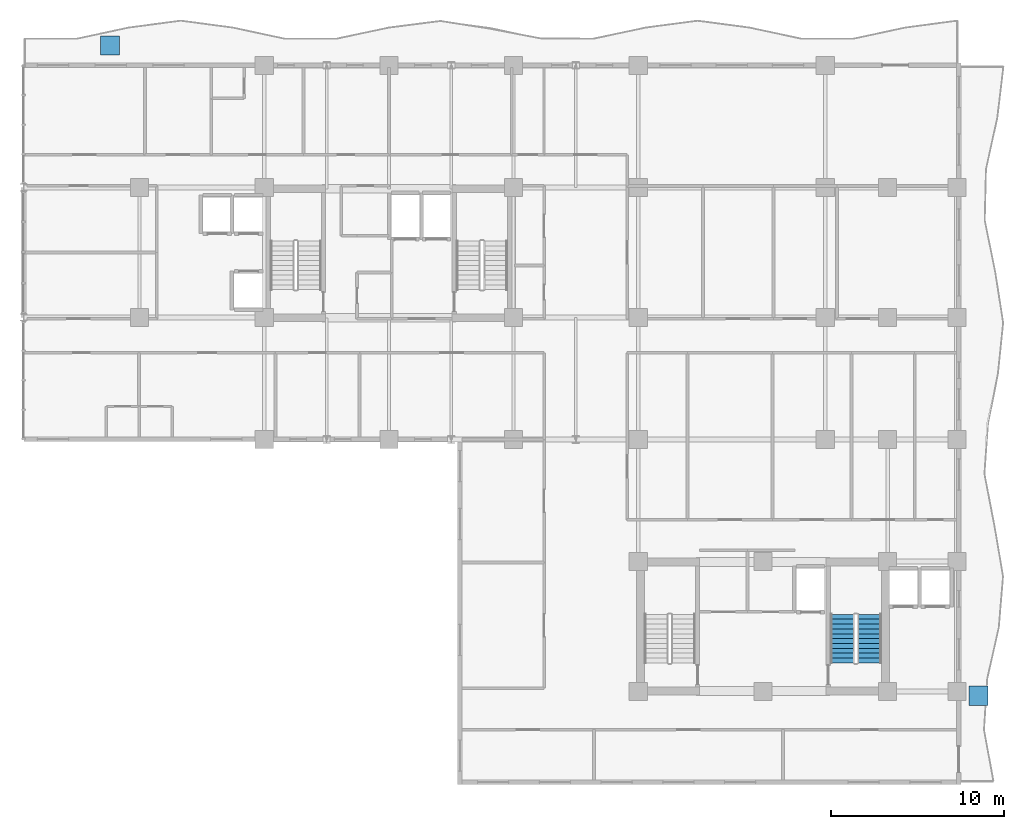
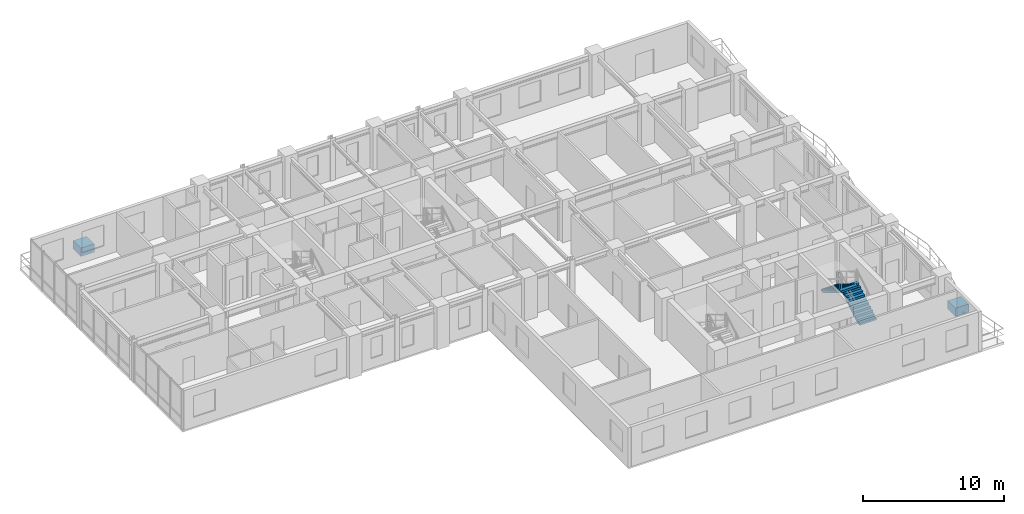
# One storey, part 16 of 19: 2 discrete accessories, 2 stair flights, 1 element without a shape of its own.
"""IFC4 building model written with IfcOpenShell, lengths in metres."""

from ifc_helpers import new_model, si_unit, direction, frame, origin, origin_2d, place, context, subcontext, project, spatial, polyline, rectangle, outline, extrude, source, transform, mapped, material, type_object, element, aggregate, save


model = new_model("IFC4")

# Units and contexts
model_context = context("Model", 3, precision=1e-05, world=origin(), true_north=direction((0.0, 1.0)))
body_context = subcontext(model_context, "Body", "Model", "MODEL_VIEW")
ifc_project = project(units=[si_unit("LENGTHUNIT", "METRE"), si_unit("AREAUNIT", "SQUARE_METRE"), si_unit("VOLUMEUNIT", "CUBIC_METRE"), si_unit("PLANEANGLEUNIT", "RADIAN"), si_unit("MASSUNIT", "GRAM", prefix="KILO")], contexts=[model_context])

# Site, building, storey
site_placement = place(None, origin())
site = spatial("IfcSite", under=ifc_project, at=site_placement, CompositionType="ELEMENT")
building_placement = place(site_placement, origin())
building = spatial("IfcBuilding", under=site, at=building_placement, Name="Kaliganga Portal Commons", CompositionType="ELEMENT")
storey_placement = place(building_placement, frame((0.0, 0.0, 184.60009765625)))
storey = spatial("IfcBuildingStorey", under=building, at=storey_placement, Name="L47", CompositionType="ELEMENT", Elevation=184.60009765625)

# Stair, stair flights
ifc_material_1 = material(Name="Concrete C40/50", Category="concrete")
stair_type = type_object("IfcStairType", Name="ST-CORE-DOGLEG", PredefinedType="HALF_TURN_STAIR", material=ifc_material_1)
stair_placement = place(storey_placement, origin())
stair = element("IfcStair", 1, at=stair_placement, inside=storey, type_object=stair_type, Name="L47 Protected Exit Stair ST-B2", PredefinedType="HALF_TURN_STAIR")
stair_flight_type = type_object("IfcStairFlightType", Name="STF-RC-1400", PredefinedType="STRAIGHT", material=ifc_material_1)
stair_flight_1_placement = place(storey_placement, frame((49.35009765625, 8.699951171875, 0.0), z_axis=(0.0, 0.0, 1.0), x_axis=(0.0, 1.0, 0.0)))
stair_flight_1 = element("IfcStairFlight", 2, at=stair_flight_1_placement, type_object=stair_flight_type, Name="ST-B2 flight 1", NumberOfRisers=11, NumberOfTreads=10, PredefinedType="STRAIGHT", RiserHeight=0.168181818, TreadLength=0.28, context=body_context, shape_type="SweptSolid", body=[
    extrude(outline(polyline([(0.0, 0.0), (0.0, 0.168212890625), (0.280029296875, 0.168212890625), (0.280029296875, 0.33642578125), (0.56005859375, 0.33642578125), (0.56005859375, 0.504638671875), (0.840087890625, 0.504638671875), (0.840087890625, 0.672607421875), (1.1201171875, 0.672607421875), (1.1201171875, 0.8408203125), (1.39990234375, 0.8408203125), (1.39990234375, 1.009033203125), (1.679931640625, 1.009033203125), (1.679931640625, 1.17724609375), (1.9599609375, 1.17724609375), (1.9599609375, 1.345458984375), (2.239990234375, 1.345458984375), (2.239990234375, 1.513671875), (2.52001953125, 1.513671875), (2.52001953125, 1.681884765625), (2.800048828125, 1.681884765625), (2.800048828125, 1.85009765625), (2.800048828125, 1.5068359375), (0.291015625, 0.0), (0.0, 0.0)])), frame((0.0, 0.699951171875, 0.0), z_axis=(0.0, -1.0, 0.0), x_axis=(1.0, 0.0, 0.0)), (0.0, 0.0, 1.0), 1.39990234375),
])
stair_flight_2_placement = place(storey_placement, frame((47.800048828125, 11.5, 1.849853515625), z_axis=(0.0, 0.0, 1.0), x_axis=(0.0, -1.0, 0.0)))
stair_flight_2 = element("IfcStairFlight", 3, at=stair_flight_2_placement, type_object=stair_flight_type, Name="ST-B2 flight 2", NumberOfRisers=11, NumberOfTreads=10, PredefinedType="STRAIGHT", RiserHeight=0.168181818, TreadLength=0.28, context=body_context, shape_type="SweptSolid", body=[
    extrude(outline(polyline([(0.0, 0.0), (0.0, 0.168212890625), (0.280029296875, 0.168212890625), (0.280029296875, 0.33642578125), (0.56005859375, 0.33642578125), (0.56005859375, 0.504638671875), (0.840087890625, 0.504638671875), (0.840087890625, 0.672607421875), (1.1201171875, 0.672607421875), (1.1201171875, 0.8408203125), (1.39990234375, 0.8408203125), (1.39990234375, 1.009033203125), (1.679931640625, 1.009033203125), (1.679931640625, 1.17724609375), (1.9599609375, 1.17724609375), (1.9599609375, 1.345458984375), (2.239990234375, 1.345458984375), (2.239990234375, 1.513671875), (2.52001953125, 1.513671875), (2.52001953125, 1.681884765625), (2.800048828125, 1.681884765625), (2.800048828125, 1.85009765625), (2.800048828125, 1.5068359375), (0.291015625, 0.0), (0.0, 0.0)])), frame((0.0, 0.699951171875, 0.0), z_axis=(0.0, -1.0, 0.0), x_axis=(1.0, 0.0, 0.0)), (0.0, 0.0, 1.0), 1.39990234375),
])
aggregate(stair, [stair_flight_1, stair_flight_2])

# Discrete accessories
ifc_material_2 = material(Name="Precast concrete C40/50", Category="concrete")
discrete_accessory_type = type_object("IfcDiscreteAccessoryType", Name="DAC-PLANTER-RC", PredefinedType="USERDEFINED", material=ifc_material_2)
shared_shape = source(origin(), body_context, "Body", "SweptSolid", [
    extrude(rectangle(XDim=1.10009765625, YDim=1.10009765625, at=origin_2d()), origin(), (0.0, 0.0, 1.0), 0.719970703125),
])
for number, where, z_axis, x_axis, name in (
    (4, (5.5, 44.35009765625, 0.0), (0.0, 0.0, 1.0), (1.0, 0.0, 0.0), "Structural Tree Planter L47 balc_north"),
    (5, (55.64990234375, 6.800048828125, 0.0), (0.0, 0.0, 1.0), (1.0, 0.0, 0.0), "Structural Tree Planter L47 balc_east"),
):
    element("IfcDiscreteAccessory", number, at=place(storey_placement, frame(where, z_axis=z_axis, x_axis=x_axis)), inside=storey, type_object=discrete_accessory_type, Name=name, ObjectType="PLANTER", PredefinedType="USERDEFINED", context=body_context, shape_type="MappedRepresentation", body=[
        mapped(shared_shape, transform((0.0, 0.0, 0.0), x_axis=(1.0, 0.0, 0.0), y_axis=(0.0, 1.0, 0.0), z_axis=(0.0, 0.0, 1.0), scale=1.0)),
    ])

save(model, "model.ifc")
